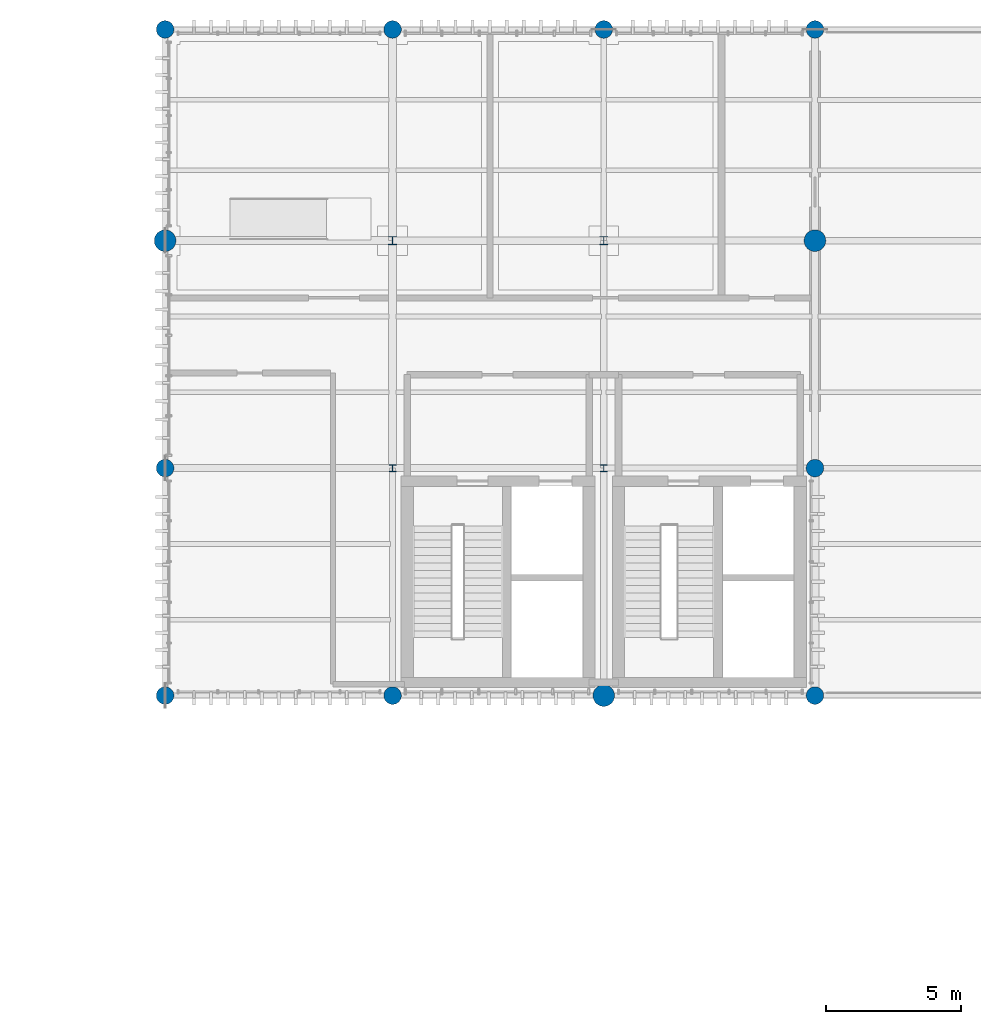
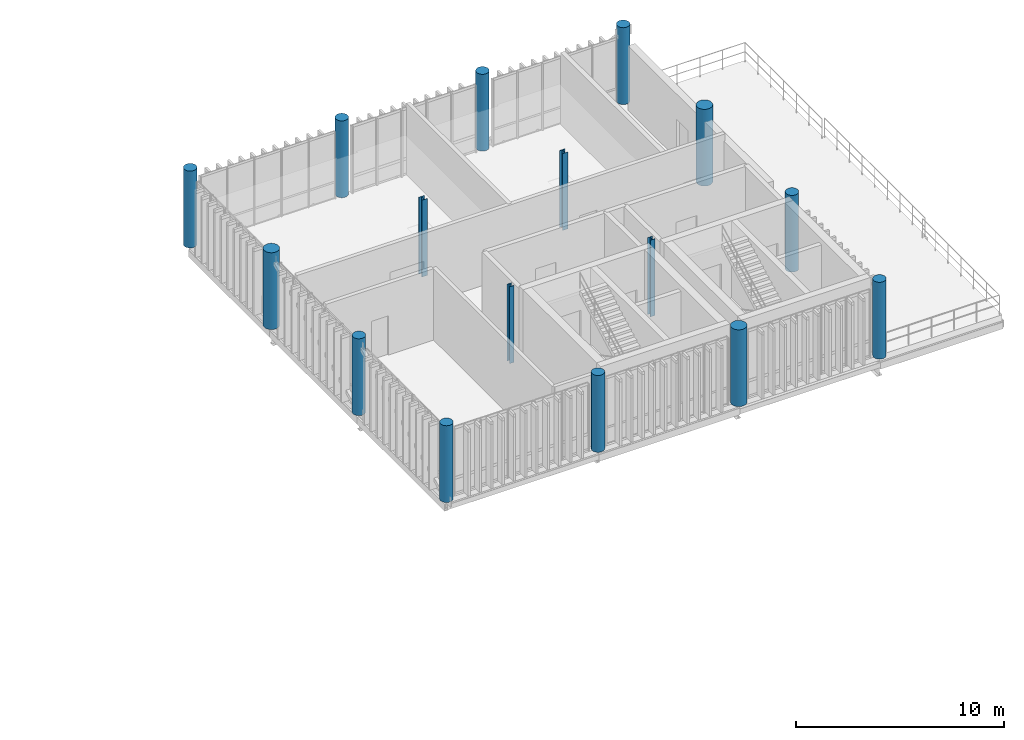
# One storey, part 1 of 19: 16 columns.
"""IFC4 building model written with IfcOpenShell, lengths in metres."""

from ifc_helpers import new_model, si_unit, direction, frame, origin_with_axes, origin_2d_with_axis, place, context, subcontext, project, spatial, circle, i_section, extrude, material, material_profile, profile_set, type_object, element, save


model = new_model("IFC4")

# Units and contexts
model_context = context("Model", 3, precision=1e-05, world=origin_with_axes(), true_north=direction((0.0, 1.0)))
body_context = subcontext(model_context, "Body", "Model", "MODEL_VIEW")
ifc_project = project(units=[si_unit("LENGTHUNIT", "METRE"), si_unit("AREAUNIT", "SQUARE_METRE"), si_unit("VOLUMEUNIT", "CUBIC_METRE"), si_unit("PLANEANGLEUNIT", "RADIAN"), si_unit("MASSUNIT", "GRAM", prefix="KILO"), si_unit("THERMODYNAMICTEMPERATUREUNIT", "KELVIN")], contexts=[model_context])

# Site, building, storey
site_placement = place(None, origin_with_axes())
site = spatial("IfcSite", under=ifc_project, at=site_placement, CompositionType="ELEMENT")
building_placement = place(site_placement, origin_with_axes())
building = spatial("IfcBuilding", under=site, at=building_placement, Name="Montbau Bow Law Courts", CompositionType="ELEMENT")
storey_placement = place(building_placement, frame((0.0, 0.0, 43.5), z_axis=(0.0, 0.0, 1.0), x_axis=(1.0, 0.0, 0.0)))
storey = spatial("IfcBuildingStorey", under=building, at=storey_placement, Name="L09", CompositionType="ELEMENT", Elevation=43.5)

# Columns
ifc_material_1 = material(Name="Concrete CSA A23.1 f'c 40 MPa", Category="concrete")
ifc_material_profile_1 = material_profile(ifc_material_1, circle(Radius=0.4, at=origin_2d_with_axis()), Name="RC800D", Category="Main", Priority=0)
ifc_profile_set_1 = profile_set([ifc_material_profile_1], Name="Concrete CSA A23.1 f'c 40 MPa")
column_type_1 = type_object("IfcColumnType", Name="C-RC-07", PredefinedType="COLUMN", material=ifc_profile_set_1)
for number, where, z_axis, x_axis, name in (
    (1, (138.6, 103.2, 43.5), (0.0, 0.0, 1.0), (1.0, 0.0, 0.0), "C-L09-S1084:col2_1084"),
    (2, (154.8, 86.4, 43.5), (0.0, 0.0, 1.0), (1.0, 0.0, 0.0), "C-L09-S1090:col2_1090"),
    (3, (162.6, 103.2, 43.5), (0.0, 0.0, 1.0), (1.0, 0.0, 0.0), "C-L09-S1096:col2_1096"),
):
    element("IfcColumn", number, at=place(None, frame(where, z_axis=z_axis, x_axis=x_axis)), inside=storey, type_object=column_type_1, Name=name, PredefinedType="COLUMN", context=body_context, shape_type="SweptSolid", body=[
        extrude(circle(Radius=0.4, at=origin_2d_with_axis()), origin_with_axes(), (0.0, 0.0, 1.0), 4.5),
    ])
ifc_material_profile_2 = material_profile(ifc_material_1, circle(Radius=0.325, at=origin_2d_with_axis()), Name="RC650D", Category="Main", Priority=0)
ifc_profile_set_2 = profile_set([ifc_material_profile_2], Name="Concrete CSA A23.1 f'c 40 MPa")
column_type_2 = type_object("IfcColumnType", Name="C-RC-08", PredefinedType="COLUMN", material=ifc_profile_set_2)
for number, where, z_axis, x_axis, name in (
    (4, (138.6, 86.4, 43.5), (0.0, 0.0, 1.0), (1.0, 0.0, 0.0), "C-L09-S1082:col2_1082"),
    (5, (138.6, 94.8, 43.5), (0.0, 0.0, 1.0), (1.0, 0.0, 0.0), "C-L09-S1083:col2_1083"),
    (6, (138.6, 111.0, 43.5), (0.0, 0.0, 1.0), (1.0, 0.0, 0.0), "C-L09-S1085:col2_1085"),
    (7, (147.0, 86.4, 43.5), (0.0, 0.0, 1.0), (1.0, 0.0, 0.0), "C-L09-S1086:col2_1086"),
    (8, (147.0, 111.0, 43.5), (0.0, 0.0, 1.0), (1.0, 0.0, 0.0), "C-L09-S1089:col2_1089"),
    (9, (154.8, 111.0, 43.5), (0.0, 0.0, 1.0), (1.0, 0.0, 0.0), "C-L09-S1093:col2_1093"),
    (10, (162.6, 86.4, 43.5), (0.0, 0.0, 1.0), (1.0, 0.0, 0.0), "C-L09-S1094:col2_1094"),
    (11, (162.6, 94.8, 43.5), (0.0, 0.0, 1.0), (1.0, 0.0, 0.0), "C-L09-S1095:col2_1095"),
    (12, (162.6, 111.0, 43.5), (0.0, 0.0, 1.0), (1.0, 0.0, 0.0), "C-L09-S1097:col2_1097"),
):
    element("IfcColumn", number, at=place(None, frame(where, z_axis=z_axis, x_axis=x_axis)), inside=storey, type_object=column_type_2, Name=name, PredefinedType="COLUMN", context=body_context, shape_type="SweptSolid", body=[
        extrude(circle(Radius=0.325, at=origin_2d_with_axis()), origin_with_axes(), (0.0, 0.0, 1.0), 4.5),
    ])
ifc_material_2 = material(Name="Steel CSA G40.21 Grade 350W (350 MPa)", Category="steel")
ifc_material_profile_3 = material_profile(ifc_material_2, i_section(OverallWidth=0.305, OverallDepth=0.308, WebThickness=0.0099, FlangeThickness=0.0154, at=origin_2d_with_axis()), Name="W310X97", Category="Main", Priority=0)
ifc_profile_set_3 = profile_set([ifc_material_profile_3], Name="Steel CSA G40.21 Grade 350W (350 MPa)")
column_type_3 = type_object("IfcColumnType", Name="C-STL-07", PredefinedType="COLUMN", material=ifc_profile_set_3)
for number, where, z_axis, x_axis, name in (
    (13, (147.0, 103.2, 43.5), (0.0, 0.0, 1.0), (1.0, 0.0, 0.0), "C-L09-S1088:col2_1088"),
    (14, (154.8, 103.2, 43.5), (0.0, 0.0, 1.0), (1.0, 0.0, 0.0), "C-L09-S1092:col2_1092"),
):
    element("IfcColumn", number, at=place(None, frame(where, z_axis=z_axis, x_axis=x_axis)), inside=storey, type_object=column_type_3, Name=name, PredefinedType="COLUMN", context=body_context, shape_type="SweptSolid", body=[
        extrude(i_section(OverallWidth=0.305, OverallDepth=0.308, WebThickness=0.0099, FlangeThickness=0.0154, at=origin_2d_with_axis()), origin_with_axes(), (0.0, 0.0, 1.0), 4.5),
    ])
ifc_material_profile_4 = material_profile(ifc_material_2, i_section(OverallWidth=0.256, OverallDepth=0.26, WebThickness=0.0107, FlangeThickness=0.0173, at=origin_2d_with_axis()), Name="W250X89", Category="Main", Priority=0)
ifc_profile_set_4 = profile_set([ifc_material_profile_4], Name="Steel CSA G40.21 Grade 350W (350 MPa)")
column_type_4 = type_object("IfcColumnType", Name="C-STL-08", PredefinedType="COLUMN", material=ifc_profile_set_4)
for number, where, z_axis, x_axis, name in (
    (15, (147.0, 94.8, 43.5), (0.0, 0.0, 1.0), (1.0, 0.0, 0.0), "C-L09-S1087:col2_1087"),
    (16, (154.8, 94.8, 43.5), (0.0, 0.0, 1.0), (1.0, 0.0, 0.0), "C-L09-S1091:col2_1091"),
):
    element("IfcColumn", number, at=place(None, frame(where, z_axis=z_axis, x_axis=x_axis)), inside=storey, type_object=column_type_4, Name=name, PredefinedType="COLUMN", context=body_context, shape_type="SweptSolid", body=[
        extrude(i_section(OverallWidth=0.256, OverallDepth=0.26, WebThickness=0.0107, FlangeThickness=0.0173, at=origin_2d_with_axis()), origin_with_axes(), (0.0, 0.0, 1.0), 4.5),
    ])

save(model, "model.ifc")
